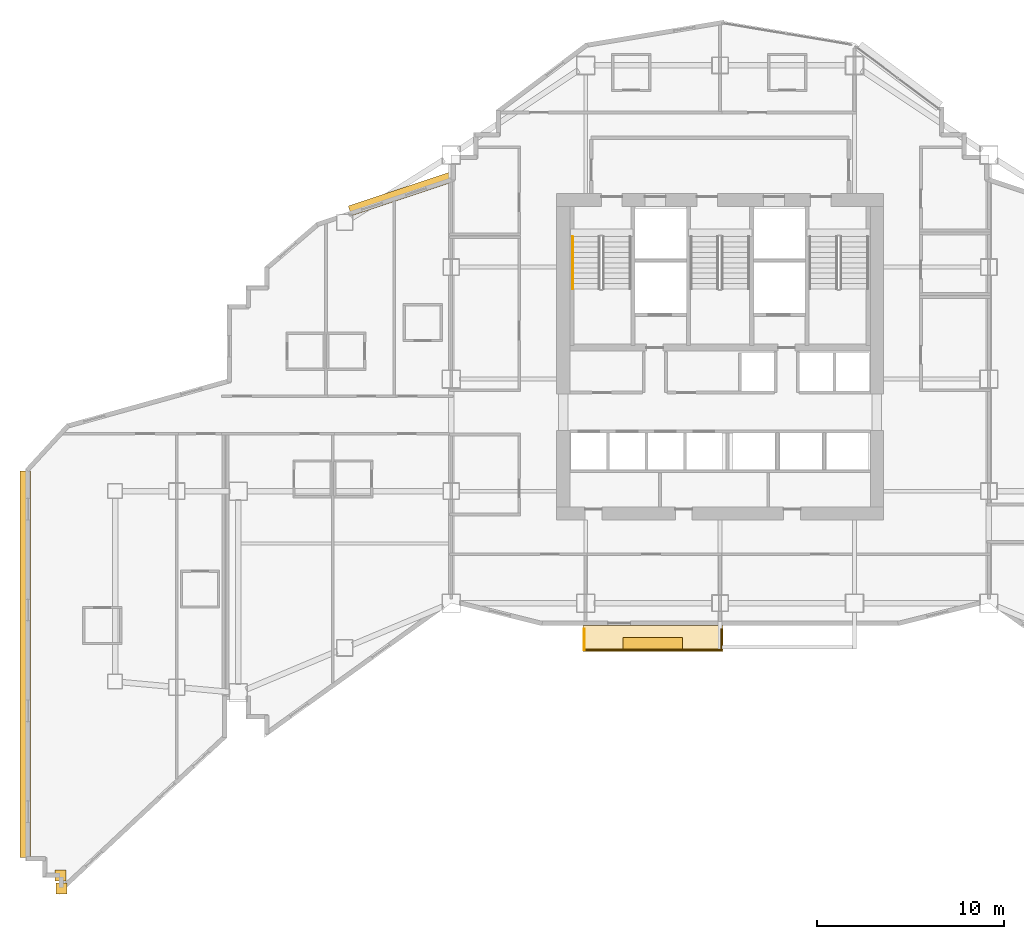
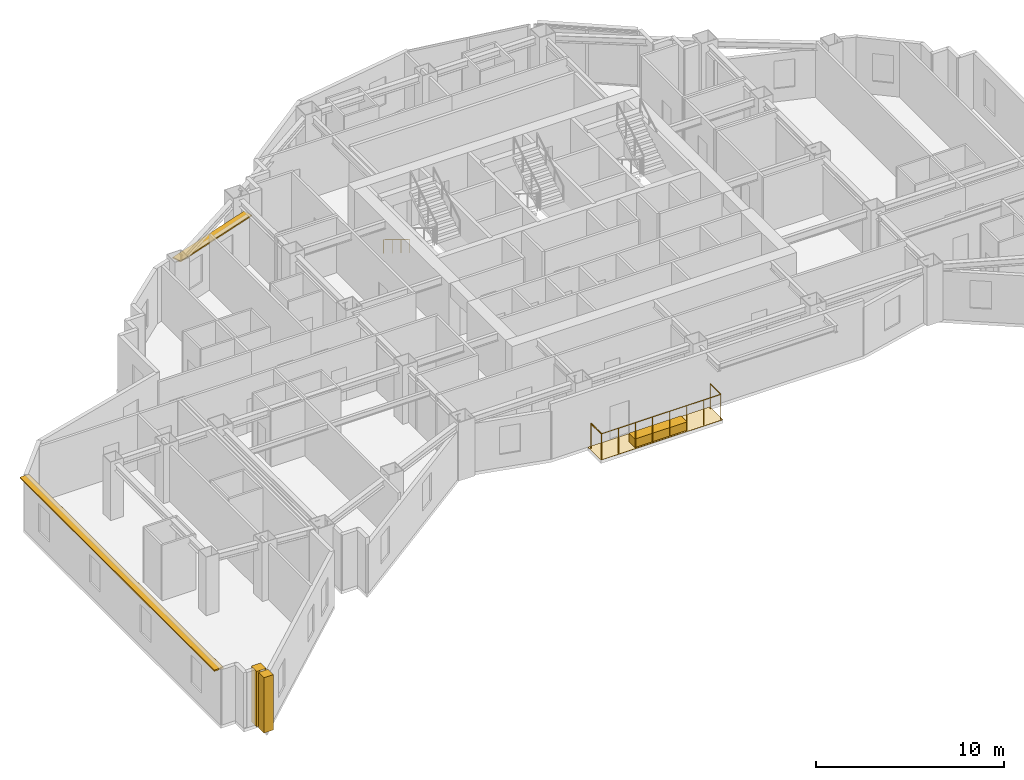
# One storey, part 13 of 14: 4 coverings, 3 railings, 2 shading devices.
"""IFC4 building model written with IfcOpenShell, lengths in metres."""

from ifc_helpers import new_model, si_unit, direction, frame, origin, origin_2d, place, context, subcontext, project, spatial, polyline, rectangle, circle, outline, extrude, material, layer, layer_set, type_object, element, save


model = new_model("IFC4")

# Units and contexts
model_context = context("Model", 3, precision=1e-05, world=origin(), true_north=direction((0.0, 1.0)))
body_context = subcontext(model_context, "Body", "Model", "MODEL_VIEW")
ifc_project = project(units=[si_unit("LENGTHUNIT", "METRE"), si_unit("AREAUNIT", "SQUARE_METRE"), si_unit("VOLUMEUNIT", "CUBIC_METRE"), si_unit("PLANEANGLEUNIT", "RADIAN"), si_unit("MASSUNIT", "GRAM", prefix="KILO")], contexts=[model_context])

# Site, building, storey
site_placement = place(None, origin())
site = spatial("IfcSite", under=ifc_project, at=site_placement, CompositionType="ELEMENT")
building_placement = place(site_placement, origin())
building = spatial("IfcBuilding", under=site, at=building_placement, Name="Haolan Belvedere Tower", CompositionType="ELEMENT")
storey_placement = place(building_placement, frame((0.0, 0.0, 148.60009765625)))
storey = spatial("IfcBuildingStorey", under=building, at=storey_placement, Name="L37", CompositionType="ELEMENT", Elevation=148.60009765625)

# Coverings
ifc_material_1 = material(Name="Pale champagne-silver anodised aluminium rainscreen cladding", Category="aluminium")
ifc_layer_1 = layer(ifc_material_1, 0.034912109375, Name="Pale champagne-silver anodised aluminium rainscreen cladding")
ifc_layer_set_1 = layer_set([ifc_layer_1], Name="Pale champagne-silver anodised aluminium rainscreen cladding")
covering_type_1 = type_object("IfcCoveringType", Name="COV-CLAD-35", PredefinedType="CLADDING", material=ifc_layer_set_1)
for number, where, z_axis, x_axis, name in (
    (1, (3.077392578125, 7.02001953125, -0.000244140625), (0.0, 0.0, 1.0), (1.0, 0.0, 0.0), "L37 pale-metal serrated corner cladding trim 1"),
    (2, (3.1201171875, 6.318603515625, -0.000244140625), (0.0, 0.0, 1.0), (1.0, 0.0, 0.0), "L37 pale-metal serrated corner cladding trim 2"),
):
    element("IfcCovering", number, at=place(storey_placement, frame(where, z_axis=z_axis, x_axis=x_axis)), inside=storey, type_object=covering_type_1, Name=name, PredefinedType="CLADDING", context=body_context, shape_type="SweptSolid", body=[
        extrude(rectangle(XDim=0.580078125, YDim=0.580078125, at=origin_2d()), origin(), (0.0, 0.0, 1.0), 3.60009765625),
    ])
ifc_material_2 = material(Name="Engineered lightweight planted garden soil substrate", Category="masonry")
ifc_layer_2 = layer(ifc_material_2, 0.550048828125, Name="Engineered lightweight planted garden soil substrate")
ifc_layer_set_2 = layer_set([ifc_layer_2], Name="Engineered lightweight planted garden soil substrate")
covering_type_2 = type_object("IfcCoveringType", Name="COV-PLANT-550", PredefinedType="MEMBRANE", material=ifc_layer_set_2)
covering_1_placement = place(storey_placement, frame((34.800048828125, 19.43994140625, 0.0), z_axis=(0.0, 0.0, 1.0), x_axis=(1.0, 0.0, 0.0)))
element("IfcCovering", 3, at=covering_1_placement, inside=storey, type_object=covering_type_2, Name="L37 structural tree balcony PLANTER box 1", PredefinedType="MEMBRANE", context=body_context, shape_type="SweptSolid", body=[
    extrude(rectangle(XDim=3.199951171875, YDim=0.64990234375, at=origin_2d()), origin(), (0.0, 0.0, 1.0), 0.550048828125),
])
ifc_material_3 = material(Name="Elastomeric waterproof roofing membrane and stone pavers", Category="masonry")
ifc_layer_3 = layer(ifc_material_3, 0.02001953125, Name="Elastomeric waterproof roofing membrane and stone pavers")
ifc_layer_set_3 = layer_set([ifc_layer_3], Name="Elastomeric waterproof roofing membrane and stone pavers")
covering_type_3 = type_object("IfcCoveringType", Name="COV-ROOF-20", PredefinedType="ROOFING", material=ifc_layer_set_3)
covering_2_placement = place(storey_placement, frame((0.0, 0.0, -0.02001953125)))
element("IfcCovering", 4, at=covering_2_placement, inside=storey, type_object=covering_type_3, Name="L37 tree-balcony waterproof membrane 1", PredefinedType="ROOFING", context=body_context, shape_type="SweptSolid", body=[
    extrude(outline(polyline([(31.050048828125, 19.02001953125), (38.550048828125, 19.02001953125), (38.550048828125, 20.39990234375), (31.050048828125, 20.39990234375), (31.050048828125, 19.02001953125)])), origin(), (0.0, 0.0, 1.0), 0.02001953125),
])

# Railings
ifc_material_4 = material(Name="Brushed stainless steel 304", Category="steel")
railing_type_1 = type_object("IfcRailingType", Name="RL-STAIR-HND-900", PredefinedType="HANDRAIL", material=ifc_material_4)
railing_1_placement = place(storey_placement, frame((30.5, 41.22998046875, 0.172607421875)))
element("IfcRailing", 5, at=railing_1_placement, inside=storey, type_object=railing_type_1, Name="L37 ST1 stair handrail 1", PredefinedType="HANDRAIL", context=body_context, shape_type="SweptSolid", body=[
    extrude(circle(Radius=0.02392578125, at=origin_2d()), frame((0.0, 0.0, 0.8759765625), z_axis=(0.0, -0.851089632645, 0.525020415988), x_axis=(1.0, 0.0, 0.0)), (0.0, 0.0, 1.0), 3.2900390625),
    extrude(circle(Radius=0.02099609375, at=origin_2d()), origin(), (0.0, 0.0, 1.0), 0.851806640625),
    extrude(circle(Radius=0.02099609375, at=origin_2d()), frame((0.0, -0.933349609375, 0.57568359375)), (0.0, 0.0, 1.0), 0.851806640625),
    extrude(circle(Radius=0.02099609375, at=origin_2d()), frame((0.0, -1.86669921875, 1.151611328125)), (0.0, 0.0, 1.0), 0.851806640625),
    extrude(circle(Radius=0.02099609375, at=origin_2d()), frame((0.0, -2.800048828125, 1.727294921875)), (0.0, 0.0, 1.0), 0.851806640625),
])
ifc_material_5 = material(Name="Anodised aluminium and laminated glass balustrade", Category="aluminium")
railing_type_2 = type_object("IfcRailingType", Name="RL-TER-BAL-1150", PredefinedType="BALUSTRADE", material=ifc_material_5)
railing_2_placement = place(storey_placement, frame((31.1298828125, 19.10009765625, 0.0)))
element("IfcRailing", 6, at=railing_2_placement, inside=storey, type_object=railing_type_2, Name="L37 outdoor perimeter balustrade BAL-L37-1-1", PredefinedType="BALUSTRADE", context=body_context, shape_type="SweptSolid", body=[
    extrude(circle(Radius=0.02392578125, at=origin_2d()), frame((0.0, 0.0, 1.6259765625), z_axis=(0.0, 1.0, 0.0), x_axis=(-1.0, 0.0, 0.0)), (0.0, 0.0, 1.0), 1.119873046875),
    extrude(circle(Radius=0.02099609375, at=origin_2d()), origin(), (0.0, 0.0, 1.0), 1.601806640625),
    extrude(circle(Radius=0.02099609375, at=origin_2d()), frame((0.0, 1.119873046875, 0.0)), (0.0, 0.0, 1.0), 1.601806640625),
])
railing_3_placement = place(storey_placement, frame((38.469970703125, 20.219970703125, 0.0)))
element("IfcRailing", 7, at=railing_3_placement, inside=storey, type_object=railing_type_2, Name="L37 outdoor perimeter balustrade BAL-L37-1-2", PredefinedType="BALUSTRADE", context=body_context, shape_type="SweptSolid", body=[
    extrude(circle(Radius=0.02392578125, at=origin_2d()), frame((0.0, 0.0, 1.6259765625), z_axis=(0.0, -1.0, 0.0), x_axis=(1.0, 0.0, 0.0)), (0.0, 0.0, 1.0), 1.119873046875),
    extrude(circle(Radius=0.02392578125, at=origin_2d()), frame((0.0, -1.119873046875, 1.6259765625), z_axis=(-1.0, 0.0, 0.0), x_axis=(0.0, -1.0, 0.0)), (0.0, 0.0, 1.0), 7.340087890625),
    extrude(circle(Radius=0.02099609375, at=origin_2d()), origin(), (0.0, 0.0, 1.0), 1.601806640625),
    extrude(circle(Radius=0.02099609375, at=origin_2d()), frame((0.0, -1.119873046875, 0.0)), (0.0, 0.0, 1.0), 1.601806640625),
    extrude(circle(Radius=0.02099609375, at=origin_2d()), frame((-1.048583984375, -1.119873046875, 0.0)), (0.0, 0.0, 1.0), 1.601806640625),
    extrude(circle(Radius=0.02099609375, at=origin_2d()), frame((-2.09716796875, -1.119873046875, 0.0)), (0.0, 0.0, 1.0), 1.601806640625),
    extrude(circle(Radius=0.02099609375, at=origin_2d()), frame((-3.145751953125, -1.119873046875, 0.0)), (0.0, 0.0, 1.0), 1.601806640625),
    extrude(circle(Radius=0.02099609375, at=origin_2d()), frame((-4.1943359375, -1.119873046875, 0.0)), (0.0, 0.0, 1.0), 1.601806640625),
    extrude(circle(Radius=0.02099609375, at=origin_2d()), frame((-5.242919921875, -1.119873046875, 0.0)), (0.0, 0.0, 1.0), 1.601806640625),
    extrude(circle(Radius=0.02099609375, at=origin_2d()), frame((-6.29150390625, -1.119873046875, 0.0)), (0.0, 0.0, 1.0), 1.601806640625),
    extrude(circle(Radius=0.02099609375, at=origin_2d()), frame((-7.340087890625, -1.119873046875, 0.0)), (0.0, 0.0, 1.0), 1.601806640625),
])

# Shading devices
ifc_material_6 = material(Name="Anodised champagne-silver aluminium 6063-T6", Category="aluminium")
ifc_layer_4 = layer(ifc_material_6, 0.080078125, Name="Anodised champagne-silver aluminium 6063-T6")
ifc_layer_set_4 = layer_set([ifc_layer_4], Name="Anodised champagne-silver aluminium 6063-T6")
shading_device_type = type_object("IfcShadingDeviceType", Name="SHD-SUN-550", PredefinedType="USERDEFINED", material=ifc_layer_set_4)
shading_device_1_placement = place(storey_placement, frame((21.29443359375, 43.519287109375, 3.044921875), z_axis=(0.0, 0.0, 1.0), x_axis=(-0.948683015593, -0.316228613389, 0.0)))
element("IfcShadingDevice", 8, at=shading_device_1_placement, inside=storey, type_object=shading_device_type, Name="L37 pale-metal horizontal SUNSHADE band 35.1", ObjectType="SUNSHADE", PredefinedType="USERDEFINED", context=body_context, shape_type="SweptSolid", body=[
    extrude(rectangle(XDim=5.7333984375, YDim=0.550048828125, at=origin_2d()), origin(), (0.0, 0.0, 1.0), 0.080078125),
])
shading_device_2_placement = place(storey_placement, frame((1.179931640625, 18.336669921875, 3.499755859375), z_axis=(0.0, 0.0, 1.0), x_axis=(0.0, -1.0, 0.0)))
element("IfcShadingDevice", 9, at=shading_device_2_placement, inside=storey, type_object=shading_device_type, Name="L37 pale-metal horizontal SUNSHADE band 44.1", ObjectType="SUNSHADE", PredefinedType="USERDEFINED", context=body_context, shape_type="SweptSolid", body=[
    extrude(rectangle(XDim=20.703369140625, YDim=0.550048828125, at=origin_2d()), origin(), (0.0, 0.0, 1.0), 0.080078125),
])

save(model, "model.ifc")
